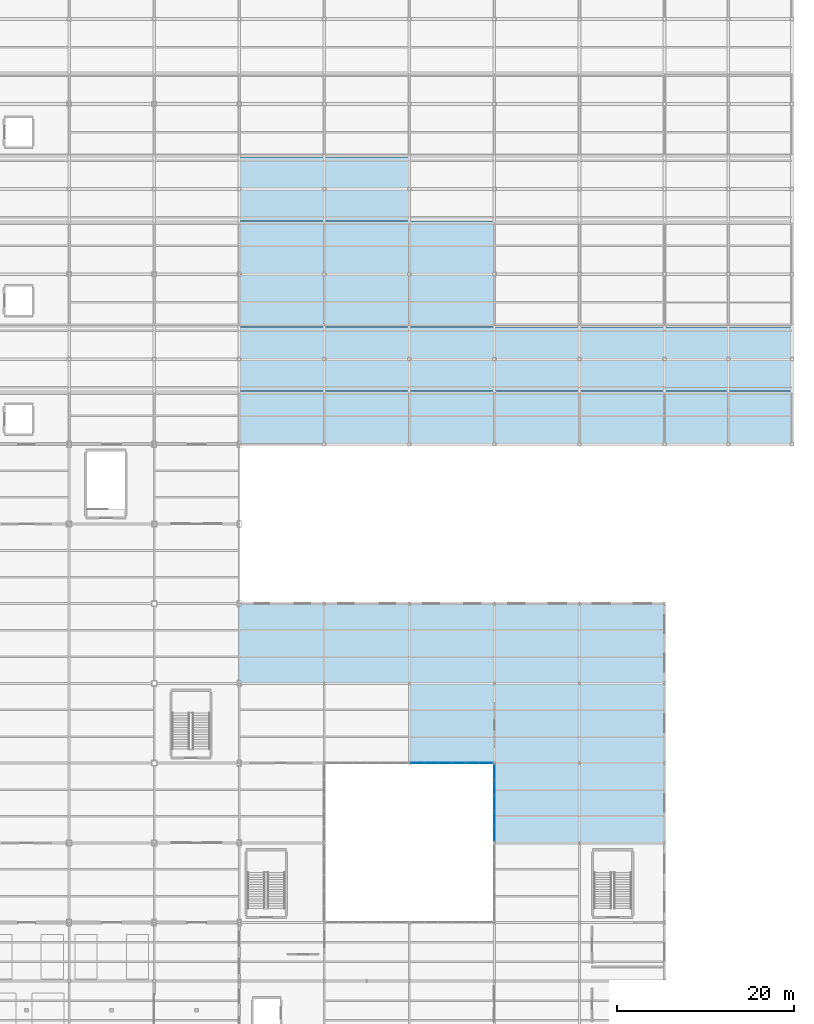
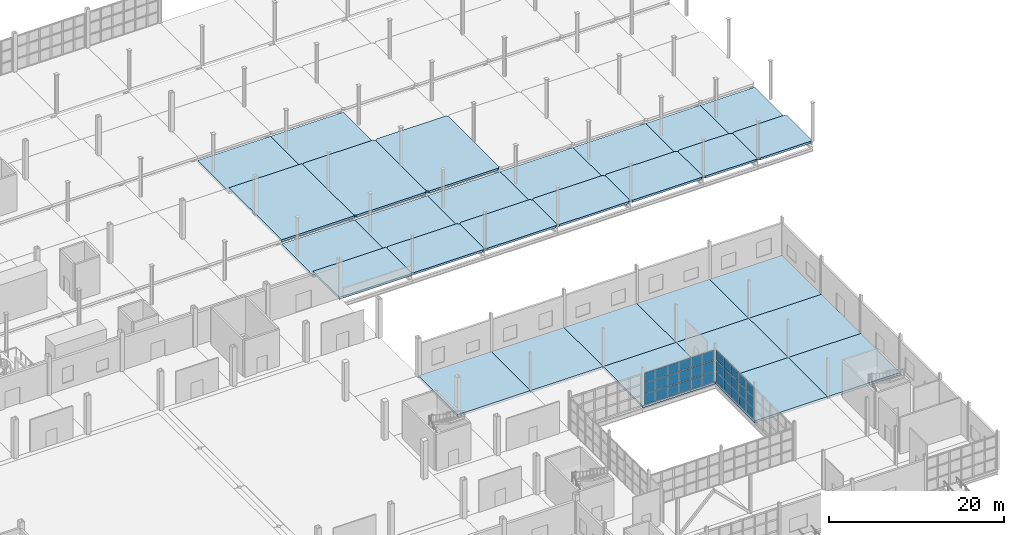
# One storey, part 53 of 85: 33 plates, 29 slabs, 2 elements without a shape of their own.
"""IFC4 building model written with IfcOpenShell, lengths in metres."""

from ifc_helpers import new_model, si_unit, direction, frame, origin, origin_2d, place, context, subcontext, project, spatial, polyline, rectangle, outline, extrude, material, layer, layer_set, type_object, element, aggregate, save


model = new_model("IFC4")

# Units and contexts
model_context = context("Model", 3, precision=1e-05, world=origin(), true_north=direction((0.0, 1.0)))
body_context = subcontext(model_context, "Body", "Model", "MODEL_VIEW")
ifc_project = project(units=[si_unit("LENGTHUNIT", "METRE"), si_unit("AREAUNIT", "SQUARE_METRE"), si_unit("VOLUMEUNIT", "CUBIC_METRE"), si_unit("PLANEANGLEUNIT", "RADIAN"), si_unit("MASSUNIT", "GRAM", prefix="KILO")], contexts=[model_context])

# Site, building, storey
site_placement = place(None, origin())
site = spatial("IfcSite", under=ifc_project, at=site_placement, CompositionType="ELEMENT")
building_placement = place(site_placement, origin())
building = spatial("IfcBuilding", under=site, at=building_placement, Name="Zarnetskaya Central Station", CompositionType="ELEMENT")
storey_placement = place(building_placement, origin())
storey = spatial("IfcBuildingStorey", under=building, at=storey_placement, Name="L00", CompositionType="ELEMENT", Elevation=0.0)

# Curtain wall, plates
ifc_material_1 = material(Name="Low-E insulated glass", Category="glass")
ifc_layer_1 = layer(ifc_material_1, 0.172119140625, Name="Low-E insulated glass", Category="glass")
ifc_layer_set_1 = layer_set([ifc_layer_1], Name="Low-E insulated glass")
curtain_wall_type = type_object("IfcCurtainWallType", Name="CW-SYS-04", PredefinedType="USERDEFINED", material=ifc_layer_set_1)
curtain_wall_1_placement = place(storey_placement, origin())
curtain_wall_1 = element("IfcCurtainWall", 1, at=curtain_wall_1_placement, inside=storey, type_object=curtain_wall_type, Name="Curtain wall CW-L00-105", ObjectType="CURTAIN WALL", PredefinedType="USERDEFINED")
ifc_layer_2 = layer(ifc_material_1, 0.028076171875, Name="Low-E insulated glass", Category="glass")
ifc_layer_set_2 = layer_set([ifc_layer_2], Name="Low-E insulated glass")
plate_type_1 = type_object("IfcPlateType", Name="CW-PAN-28", PredefinedType="CURTAIN_PANEL", material=ifc_layer_set_2)
plate_1_placement = place(storey_placement, frame((153.60009765625, 23.237548828125, 0.06982421875), z_axis=(0.0, 0.0, 1.0), x_axis=(0.0, 1.0, 0.0)))
plate_1 = element("IfcPlate", 2, at=plate_1_placement, type_object=plate_type_1, Name="CW-15 panel 1.1", PredefinedType="CURTAIN_PANEL", context=body_context, shape_type="SweptSolid", body=[
    extrude(rectangle(XDim=1.635009765625, YDim=0.028076171875, at=origin_2d()), origin(), (0.0, 0.0, 1.0), 1.468994140625),
])
plate_2_placement = place(storey_placement, frame((153.60009765625, 23.237548828125, 1.609130859375), z_axis=(0.0, 0.0, 1.0), x_axis=(0.0, 1.0, 0.0)))
plate_2 = element("IfcPlate", 3, at=plate_2_placement, type_object=plate_type_1, Name="CW-15 panel 1.2", PredefinedType="CURTAIN_PANEL", context=body_context, shape_type="SweptSolid", body=[
    extrude(rectangle(XDim=1.635009765625, YDim=0.028076171875, at=origin_2d()), origin(), (0.0, 0.0, 1.0), 1.50390625),
])
plate_3_placement = place(storey_placement, frame((153.60009765625, 23.237548828125, 3.18310546875), z_axis=(0.0, 0.0, 1.0), x_axis=(0.0, 1.0, 0.0)))
plate_3 = element("IfcPlate", 4, at=plate_3_placement, type_object=plate_type_1, Name="CW-15 panel 1.3", PredefinedType="CURTAIN_PANEL", context=body_context, shape_type="SweptSolid", body=[
    extrude(rectangle(XDim=1.635009765625, YDim=0.028076171875, at=origin_2d()), origin(), (0.0, 0.0, 1.0), 1.376953125),
])
plate_4_placement = place(storey_placement, frame((153.60009765625, 24.9599609375, 0.06982421875), z_axis=(0.0, 0.0, 1.0), x_axis=(0.0, 1.0, 0.0)))
plate_4 = element("IfcPlate", 5, at=plate_4_placement, type_object=plate_type_1, Name="CW-15 panel 2.1", PredefinedType="CURTAIN_PANEL", context=body_context, shape_type="SweptSolid", body=[
    extrude(rectangle(XDim=1.669921875, YDim=0.028076171875, at=origin_2d()), origin(), (0.0, 0.0, 1.0), 1.468994140625),
])
plate_5_placement = place(storey_placement, frame((153.60009765625, 24.9599609375, 1.609130859375), z_axis=(0.0, 0.0, 1.0), x_axis=(0.0, 1.0, 0.0)))
plate_5 = element("IfcPlate", 6, at=plate_5_placement, type_object=plate_type_1, Name="CW-15 panel 2.2", PredefinedType="CURTAIN_PANEL", context=body_context, shape_type="SweptSolid", body=[
    extrude(rectangle(XDim=1.669921875, YDim=0.028076171875, at=origin_2d()), origin(), (0.0, 0.0, 1.0), 1.50390625),
])
plate_6_placement = place(storey_placement, frame((153.60009765625, 24.9599609375, 3.18310546875), z_axis=(0.0, 0.0, 1.0), x_axis=(0.0, 1.0, 0.0)))
plate_6 = element("IfcPlate", 7, at=plate_6_placement, type_object=plate_type_1, Name="CW-15 panel 2.3", PredefinedType="CURTAIN_PANEL", context=body_context, shape_type="SweptSolid", body=[
    extrude(rectangle(XDim=1.669921875, YDim=0.028076171875, at=origin_2d()), origin(), (0.0, 0.0, 1.0), 1.376953125),
])
plate_7_placement = place(storey_placement, frame((153.60009765625, 26.699951171875, 0.06982421875), z_axis=(0.0, 0.0, 1.0), x_axis=(0.0, 1.0, 0.0)))
plate_7 = element("IfcPlate", 8, at=plate_7_placement, type_object=plate_type_1, Name="CW-15 panel 3.1", PredefinedType="CURTAIN_PANEL", context=body_context, shape_type="SweptSolid", body=[
    extrude(rectangle(XDim=1.669921875, YDim=0.028076171875, at=origin_2d()), origin(), (0.0, 0.0, 1.0), 1.468994140625),
])
plate_8_placement = place(storey_placement, frame((153.60009765625, 26.699951171875, 1.609130859375), z_axis=(0.0, 0.0, 1.0), x_axis=(0.0, 1.0, 0.0)))
plate_8 = element("IfcPlate", 9, at=plate_8_placement, type_object=plate_type_1, Name="CW-15 panel 3.2", PredefinedType="CURTAIN_PANEL", context=body_context, shape_type="SweptSolid", body=[
    extrude(rectangle(XDim=1.669921875, YDim=0.028076171875, at=origin_2d()), origin(), (0.0, 0.0, 1.0), 1.50390625),
])
plate_9_placement = place(storey_placement, frame((153.60009765625, 26.699951171875, 3.18310546875), z_axis=(0.0, 0.0, 1.0), x_axis=(0.0, 1.0, 0.0)))
plate_9 = element("IfcPlate", 10, at=plate_9_placement, type_object=plate_type_1, Name="CW-15 panel 3.3", PredefinedType="CURTAIN_PANEL", context=body_context, shape_type="SweptSolid", body=[
    extrude(rectangle(XDim=1.669921875, YDim=0.028076171875, at=origin_2d()), origin(), (0.0, 0.0, 1.0), 1.376953125),
])
plate_10_placement = place(storey_placement, frame((153.60009765625, 28.43994140625, 0.06982421875), z_axis=(0.0, 0.0, 1.0), x_axis=(0.0, 1.0, 0.0)))
plate_10 = element("IfcPlate", 11, at=plate_10_placement, type_object=plate_type_1, Name="CW-15 panel 4.1", PredefinedType="CURTAIN_PANEL", context=body_context, shape_type="SweptSolid", body=[
    extrude(rectangle(XDim=1.669921875, YDim=0.028076171875, at=origin_2d()), origin(), (0.0, 0.0, 1.0), 1.468994140625),
])
plate_11_placement = place(storey_placement, frame((153.60009765625, 28.43994140625, 1.609130859375), z_axis=(0.0, 0.0, 1.0), x_axis=(0.0, 1.0, 0.0)))
plate_11 = element("IfcPlate", 12, at=plate_11_placement, type_object=plate_type_1, Name="CW-15 panel 4.2", PredefinedType="CURTAIN_PANEL", context=body_context, shape_type="SweptSolid", body=[
    extrude(rectangle(XDim=1.669921875, YDim=0.028076171875, at=origin_2d()), origin(), (0.0, 0.0, 1.0), 1.50390625),
])
plate_12_placement = place(storey_placement, frame((153.60009765625, 28.43994140625, 3.18310546875), z_axis=(0.0, 0.0, 1.0), x_axis=(0.0, 1.0, 0.0)))
plate_12 = element("IfcPlate", 13, at=plate_12_placement, type_object=plate_type_1, Name="CW-15 panel 4.3", PredefinedType="CURTAIN_PANEL", context=body_context, shape_type="SweptSolid", body=[
    extrude(rectangle(XDim=1.669921875, YDim=0.028076171875, at=origin_2d()), origin(), (0.0, 0.0, 1.0), 1.376953125),
])
plate_13_placement = place(storey_placement, frame((153.60009765625, 30.16259765625, 0.06982421875), z_axis=(0.0, 0.0, 1.0), x_axis=(0.0, 1.0, 0.0)))
plate_13 = element("IfcPlate", 14, at=plate_13_placement, type_object=plate_type_1, Name="CW-15 panel 5.1", PredefinedType="CURTAIN_PANEL", context=body_context, shape_type="SweptSolid", body=[
    extrude(rectangle(XDim=1.635009765625, YDim=0.028076171875, at=origin_2d()), origin(), (0.0, 0.0, 1.0), 1.468994140625),
])
plate_14_placement = place(storey_placement, frame((153.60009765625, 30.16259765625, 1.609130859375), z_axis=(0.0, 0.0, 1.0), x_axis=(0.0, 1.0, 0.0)))
plate_14 = element("IfcPlate", 15, at=plate_14_placement, type_object=plate_type_1, Name="CW-15 panel 5.2", PredefinedType="CURTAIN_PANEL", context=body_context, shape_type="SweptSolid", body=[
    extrude(rectangle(XDim=1.635009765625, YDim=0.028076171875, at=origin_2d()), origin(), (0.0, 0.0, 1.0), 1.50390625),
])
plate_15_placement = place(storey_placement, frame((153.60009765625, 30.16259765625, 3.18310546875), z_axis=(0.0, 0.0, 1.0), x_axis=(0.0, 1.0, 0.0)))
plate_15 = element("IfcPlate", 16, at=plate_15_placement, type_object=plate_type_1, Name="CW-15 panel 5.3", PredefinedType="CURTAIN_PANEL", context=body_context, shape_type="SweptSolid", body=[
    extrude(rectangle(XDim=1.635009765625, YDim=0.028076171875, at=origin_2d()), origin(), (0.0, 0.0, 1.0), 1.376953125),
])
aggregate(curtain_wall_1, [plate_1, plate_2, plate_3, plate_4, plate_5, plate_6, plate_7, plate_8, plate_9, plate_10, plate_11, plate_12, plate_13, plate_14, plate_15])

curtain_wall_2_placement = place(storey_placement, origin())
curtain_wall_2 = element("IfcCurtainWall", 17, at=curtain_wall_2_placement, inside=storey, type_object=curtain_wall_type, Name="Curtain wall CW-L00-106", ObjectType="CURTAIN WALL", PredefinedType="USERDEFINED")
ifc_layer_3 = layer(ifc_material_1, 0.031982421875, Name="Low-E insulated glass", Category="glass")
ifc_layer_set_3 = layer_set([ifc_layer_3], Name="Low-E insulated glass")
plate_type_2 = type_object("IfcPlateType", Name="CW-PAN-32", PredefinedType="CURTAIN_PANEL", material=ifc_layer_set_3)
plate_16_placement = place(storey_placement, frame((152.655029296875, 31.199951171875, 0.080078125), z_axis=(0.0, 0.0, 1.0), x_axis=(-1.0, 0.0, 0.0)))
plate_16 = element("IfcPlate", 18, at=plate_16_placement, type_object=plate_type_2, Name="CW-15 panel 1.1", PredefinedType="CURTAIN_PANEL", context=body_context, shape_type="SweptSolid", body=[
    extrude(rectangle(XDim=1.429931640625, YDim=0.031982421875, at=origin_2d()), origin(), (0.0, 0.0, 1.0), 1.4169921875),
])
plate_17_placement = place(storey_placement, frame((152.655029296875, 31.199951171875, 1.576904296875), z_axis=(0.0, 0.0, 1.0), x_axis=(-1.0, 0.0, 0.0)))
plate_17 = element("IfcPlate", 19, at=plate_17_placement, type_object=plate_type_2, Name="CW-15 panel 1.2", PredefinedType="CURTAIN_PANEL", context=body_context, shape_type="SweptSolid", body=[
    extrude(rectangle(XDim=1.429931640625, YDim=0.031982421875, at=origin_2d()), origin(), (0.0, 0.0, 1.0), 1.45703125),
])
plate_18_placement = place(storey_placement, frame((152.655029296875, 31.199951171875, 3.1142578125), z_axis=(0.0, 0.0, 1.0), x_axis=(-1.0, 0.0, 0.0)))
plate_18 = element("IfcPlate", 20, at=plate_18_placement, type_object=plate_type_2, Name="CW-15 panel 1.3", PredefinedType="CURTAIN_PANEL", context=body_context, shape_type="SweptSolid", body=[
    extrude(rectangle(XDim=1.429931640625, YDim=0.031982421875, at=origin_2d()), origin(), (0.0, 0.0, 1.0), 1.325927734375),
])
plate_19_placement = place(storey_placement, frame((151.125, 31.199951171875, 0.080078125), z_axis=(0.0, 0.0, 1.0), x_axis=(-1.0, 0.0, 0.0)))
plate_19 = element("IfcPlate", 21, at=plate_19_placement, type_object=plate_type_2, Name="CW-15 panel 2.1", PredefinedType="CURTAIN_PANEL", context=body_context, shape_type="SweptSolid", body=[
    extrude(rectangle(XDim=1.469970703125, YDim=0.031982421875, at=origin_2d()), origin(), (0.0, 0.0, 1.0), 1.4169921875),
])
plate_20_placement = place(storey_placement, frame((151.125, 31.199951171875, 1.576904296875), z_axis=(0.0, 0.0, 1.0), x_axis=(-1.0, 0.0, 0.0)))
plate_20 = element("IfcPlate", 22, at=plate_20_placement, type_object=plate_type_2, Name="CW-15 panel 2.2", PredefinedType="CURTAIN_PANEL", context=body_context, shape_type="SweptSolid", body=[
    extrude(rectangle(XDim=1.469970703125, YDim=0.031982421875, at=origin_2d()), origin(), (0.0, 0.0, 1.0), 1.45703125),
])
plate_21_placement = place(storey_placement, frame((151.125, 31.199951171875, 3.1142578125), z_axis=(0.0, 0.0, 1.0), x_axis=(-1.0, 0.0, 0.0)))
plate_21 = element("IfcPlate", 23, at=plate_21_placement, type_object=plate_type_2, Name="CW-15 panel 2.3", PredefinedType="CURTAIN_PANEL", context=body_context, shape_type="SweptSolid", body=[
    extrude(rectangle(XDim=1.469970703125, YDim=0.031982421875, at=origin_2d()), origin(), (0.0, 0.0, 1.0), 1.325927734375),
])
plate_22_placement = place(storey_placement, frame((149.574951171875, 31.199951171875, 0.080078125), z_axis=(0.0, 0.0, 1.0), x_axis=(-1.0, 0.0, 0.0)))
plate_22 = element("IfcPlate", 24, at=plate_22_placement, type_object=plate_type_2, Name="CW-15 panel 3.1", PredefinedType="CURTAIN_PANEL", context=body_context, shape_type="SweptSolid", body=[
    extrude(rectangle(XDim=1.469970703125, YDim=0.031982421875, at=origin_2d()), origin(), (0.0, 0.0, 1.0), 1.4169921875),
])
plate_23_placement = place(storey_placement, frame((149.574951171875, 31.199951171875, 1.576904296875), z_axis=(0.0, 0.0, 1.0), x_axis=(-1.0, 0.0, 0.0)))
plate_23 = element("IfcPlate", 25, at=plate_23_placement, type_object=plate_type_2, Name="CW-15 panel 3.2", PredefinedType="CURTAIN_PANEL", context=body_context, shape_type="SweptSolid", body=[
    extrude(rectangle(XDim=1.469970703125, YDim=0.031982421875, at=origin_2d()), origin(), (0.0, 0.0, 1.0), 1.45703125),
])
plate_24_placement = place(storey_placement, frame((149.574951171875, 31.199951171875, 3.1142578125), z_axis=(0.0, 0.0, 1.0), x_axis=(-1.0, 0.0, 0.0)))
plate_24 = element("IfcPlate", 26, at=plate_24_placement, type_object=plate_type_2, Name="CW-15 panel 3.3", PredefinedType="CURTAIN_PANEL", context=body_context, shape_type="SweptSolid", body=[
    extrude(rectangle(XDim=1.469970703125, YDim=0.031982421875, at=origin_2d()), origin(), (0.0, 0.0, 1.0), 1.325927734375),
])
plate_25_placement = place(storey_placement, frame((148.02490234375, 31.199951171875, 0.080078125), z_axis=(0.0, 0.0, 1.0), x_axis=(-1.0, 0.0, 0.0)))
plate_25 = element("IfcPlate", 27, at=plate_25_placement, type_object=plate_type_2, Name="CW-15 panel 4.1", PredefinedType="CURTAIN_PANEL", context=body_context, shape_type="SweptSolid", body=[
    extrude(rectangle(XDim=1.469970703125, YDim=0.031982421875, at=origin_2d()), origin(), (0.0, 0.0, 1.0), 1.4169921875),
])
plate_26_placement = place(storey_placement, frame((148.02490234375, 31.199951171875, 1.576904296875), z_axis=(0.0, 0.0, 1.0), x_axis=(-1.0, 0.0, 0.0)))
plate_26 = element("IfcPlate", 28, at=plate_26_placement, type_object=plate_type_2, Name="CW-15 panel 4.2", PredefinedType="CURTAIN_PANEL", context=body_context, shape_type="SweptSolid", body=[
    extrude(rectangle(XDim=1.469970703125, YDim=0.031982421875, at=origin_2d()), origin(), (0.0, 0.0, 1.0), 1.45703125),
])
plate_27_placement = place(storey_placement, frame((148.02490234375, 31.199951171875, 3.1142578125), z_axis=(0.0, 0.0, 1.0), x_axis=(-1.0, 0.0, 0.0)))
plate_27 = element("IfcPlate", 29, at=plate_27_placement, type_object=plate_type_2, Name="CW-15 panel 4.3", PredefinedType="CURTAIN_PANEL", context=body_context, shape_type="SweptSolid", body=[
    extrude(rectangle(XDim=1.469970703125, YDim=0.031982421875, at=origin_2d()), origin(), (0.0, 0.0, 1.0), 1.325927734375),
])
plate_28_placement = place(storey_placement, frame((146.47509765625, 31.199951171875, 0.080078125), z_axis=(0.0, 0.0, 1.0), x_axis=(-1.0, 0.0, 0.0)))
plate_28 = element("IfcPlate", 30, at=plate_28_placement, type_object=plate_type_2, Name="CW-15 panel 5.1", PredefinedType="CURTAIN_PANEL", context=body_context, shape_type="SweptSolid", body=[
    extrude(rectangle(XDim=1.469970703125, YDim=0.031982421875, at=origin_2d()), origin(), (0.0, 0.0, 1.0), 1.4169921875),
])
plate_29_placement = place(storey_placement, frame((146.47509765625, 31.199951171875, 1.576904296875), z_axis=(0.0, 0.0, 1.0), x_axis=(-1.0, 0.0, 0.0)))
plate_29 = element("IfcPlate", 31, at=plate_29_placement, type_object=plate_type_2, Name="CW-15 panel 5.2", PredefinedType="CURTAIN_PANEL", context=body_context, shape_type="SweptSolid", body=[
    extrude(rectangle(XDim=1.469970703125, YDim=0.031982421875, at=origin_2d()), origin(), (0.0, 0.0, 1.0), 1.45703125),
])
plate_30_placement = place(storey_placement, frame((146.47509765625, 31.199951171875, 3.1142578125), z_axis=(0.0, 0.0, 1.0), x_axis=(-1.0, 0.0, 0.0)))
plate_30 = element("IfcPlate", 32, at=plate_30_placement, type_object=plate_type_2, Name="CW-15 panel 5.3", PredefinedType="CURTAIN_PANEL", context=body_context, shape_type="SweptSolid", body=[
    extrude(rectangle(XDim=1.469970703125, YDim=0.031982421875, at=origin_2d()), origin(), (0.0, 0.0, 1.0), 1.325927734375),
])
plate_31_placement = place(storey_placement, frame((144.945068359375, 31.199951171875, 0.080078125), z_axis=(0.0, 0.0, 1.0), x_axis=(-1.0, 0.0, 0.0)))
plate_31 = element("IfcPlate", 33, at=plate_31_placement, type_object=plate_type_2, Name="CW-15 panel 6.1", PredefinedType="CURTAIN_PANEL", context=body_context, shape_type="SweptSolid", body=[
    extrude(rectangle(XDim=1.429931640625, YDim=0.031982421875, at=origin_2d()), origin(), (0.0, 0.0, 1.0), 1.4169921875),
])
plate_32_placement = place(storey_placement, frame((144.945068359375, 31.199951171875, 1.576904296875), z_axis=(0.0, 0.0, 1.0), x_axis=(-1.0, 0.0, 0.0)))
plate_32 = element("IfcPlate", 34, at=plate_32_placement, type_object=plate_type_2, Name="CW-15 panel 6.2", PredefinedType="CURTAIN_PANEL", context=body_context, shape_type="SweptSolid", body=[
    extrude(rectangle(XDim=1.429931640625, YDim=0.031982421875, at=origin_2d()), origin(), (0.0, 0.0, 1.0), 1.45703125),
])
plate_33_placement = place(storey_placement, frame((144.945068359375, 31.199951171875, 3.1142578125), z_axis=(0.0, 0.0, 1.0), x_axis=(-1.0, 0.0, 0.0)))
plate_33 = element("IfcPlate", 35, at=plate_33_placement, type_object=plate_type_2, Name="CW-15 panel 6.3", PredefinedType="CURTAIN_PANEL", context=body_context, shape_type="SweptSolid", body=[
    extrude(rectangle(XDim=1.429931640625, YDim=0.031982421875, at=origin_2d()), origin(), (0.0, 0.0, 1.0), 1.325927734375),
])
aggregate(curtain_wall_2, [plate_16, plate_17, plate_18, plate_19, plate_20, plate_21, plate_22, plate_23, plate_24, plate_25, plate_26, plate_27, plate_28, plate_29, plate_30, plate_31, plate_32, plate_33])

# Slabs
ifc_material_2 = material(Name="Concrete C30/37", Category="concrete")
ifc_layer_4 = layer(ifc_material_2, 0.320068359375, Name="Concrete C30/37", Category="concrete")
ifc_layer_set_4 = layer_set([ifc_layer_4], Name="Concrete C30/37")
slab_type_1 = type_object("IfcSlabType", Name="SLAB-L00-320", PredefinedType="FLOOR", material=ifc_layer_set_4)
slab_1_placement = place(storey_placement, frame((0.0, 0.0, -0.320068359375)))
element("IfcSlab", 36, at=slab_1_placement, inside=storey, type_object=slab_type_1, Name="L00 slab P-Q/6-7", PredefinedType="FLOOR", context=body_context, shape_type="SweptSolid", body=[
    extrude(outline(polyline([(124.800048828125, 40.199951171875), (134.39990234375, 40.199951171875), (134.39990234375, 49.199951171875), (124.800048828125, 49.199951171875), (124.800048828125, 40.199951171875)])), origin(), (0.0, 0.0, 1.0), 0.320068359375),
])
slab_2_placement = place(storey_placement, frame((0.0, 0.0, -0.320068359375)))
element("IfcSlab", 37, at=slab_2_placement, inside=storey, type_object=slab_type_1, Name="L00 slab Q-R/6-7", PredefinedType="FLOOR", context=body_context, shape_type="SweptSolid", body=[
    extrude(outline(polyline([(134.39990234375, 40.199951171875), (144.0, 40.199951171875), (144.0, 49.199951171875), (134.39990234375, 49.199951171875), (134.39990234375, 40.199951171875)])), origin(), (0.0, 0.0, 1.0), 0.320068359375),
])
slab_3_placement = place(storey_placement, frame((0.0, 0.0, -0.320068359375)))
element("IfcSlab", 38, at=slab_3_placement, inside=storey, type_object=slab_type_1, Name="L00 slab R-S/5-6", PredefinedType="FLOOR", context=body_context, shape_type="SweptSolid", body=[
    extrude(outline(polyline([(144.0, 31.199951171875), (153.60009765625, 31.199951171875), (153.60009765625, 40.199951171875), (144.0, 40.199951171875), (144.0, 31.199951171875)])), origin(), (0.0, 0.0, 1.0), 0.320068359375),
])
slab_4_placement = place(storey_placement, frame((0.0, 0.0, -0.320068359375)))
element("IfcSlab", 39, at=slab_4_placement, inside=storey, type_object=slab_type_1, Name="L00 slab R-S/6-7", PredefinedType="FLOOR", context=body_context, shape_type="SweptSolid", body=[
    extrude(outline(polyline([(144.0, 40.199951171875), (153.60009765625, 40.199951171875), (153.60009765625, 49.199951171875), (144.0, 49.199951171875), (144.0, 40.199951171875)])), origin(), (0.0, 0.0, 1.0), 0.320068359375),
])
slab_5_placement = place(storey_placement, frame((0.0, 0.0, -0.320068359375)))
element("IfcSlab", 40, at=slab_5_placement, inside=storey, type_object=slab_type_1, Name="L00 slab S-T/4-5", PredefinedType="FLOOR", context=body_context, shape_type="SweptSolid", body=[
    extrude(outline(polyline([(153.60009765625, 22.199951171875), (163.199951171875, 22.199951171875), (163.199951171875, 31.199951171875), (153.60009765625, 31.199951171875), (153.60009765625, 22.199951171875)])), origin(), (0.0, 0.0, 1.0), 0.320068359375),
])
slab_6_placement = place(storey_placement, frame((0.0, 0.0, -0.320068359375)))
element("IfcSlab", 41, at=slab_6_placement, inside=storey, type_object=slab_type_1, Name="L00 slab S-T/5-6", PredefinedType="FLOOR", context=body_context, shape_type="SweptSolid", body=[
    extrude(outline(polyline([(153.60009765625, 31.199951171875), (163.199951171875, 31.199951171875), (163.199951171875, 40.199951171875), (153.60009765625, 40.199951171875), (153.60009765625, 31.199951171875)])), origin(), (0.0, 0.0, 1.0), 0.320068359375),
])
slab_7_placement = place(storey_placement, frame((0.0, 0.0, -0.320068359375)))
element("IfcSlab", 42, at=slab_7_placement, inside=storey, type_object=slab_type_1, Name="L00 slab S-T/6-7", PredefinedType="FLOOR", context=body_context, shape_type="SweptSolid", body=[
    extrude(outline(polyline([(153.60009765625, 40.199951171875), (163.199951171875, 40.199951171875), (163.199951171875, 49.199951171875), (153.60009765625, 49.199951171875), (153.60009765625, 40.199951171875)])), origin(), (0.0, 0.0, 1.0), 0.320068359375),
])
slab_8_placement = place(storey_placement, frame((0.0, 0.0, -0.320068359375)))
element("IfcSlab", 43, at=slab_8_placement, inside=storey, type_object=slab_type_1, Name="L00 slab T-U/4-5", PredefinedType="FLOOR", context=body_context, shape_type="SweptSolid", body=[
    extrude(outline(polyline([(163.199951171875, 22.199951171875), (172.800048828125, 22.199951171875), (172.800048828125, 31.199951171875), (163.199951171875, 31.199951171875), (163.199951171875, 22.199951171875)])), origin(), (0.0, 0.0, 1.0), 0.320068359375),
])
slab_9_placement = place(storey_placement, frame((0.0, 0.0, -0.320068359375)))
element("IfcSlab", 44, at=slab_9_placement, inside=storey, type_object=slab_type_1, Name="L00 slab T-U/5-6", PredefinedType="FLOOR", context=body_context, shape_type="SweptSolid", body=[
    extrude(outline(polyline([(163.199951171875, 31.199951171875), (172.800048828125, 31.199951171875), (172.800048828125, 40.199951171875), (163.199951171875, 40.199951171875), (163.199951171875, 31.199951171875)])), origin(), (0.0, 0.0, 1.0), 0.320068359375),
])
slab_10_placement = place(storey_placement, frame((0.0, 0.0, -0.320068359375)))
element("IfcSlab", 45, at=slab_10_placement, inside=storey, type_object=slab_type_1, Name="L00 slab T-U/6-7", PredefinedType="FLOOR", context=body_context, shape_type="SweptSolid", body=[
    extrude(outline(polyline([(163.199951171875, 40.199951171875), (172.800048828125, 40.199951171875), (172.800048828125, 49.199951171875), (163.199951171875, 49.199951171875), (163.199951171875, 40.199951171875)])), origin(), (0.0, 0.0, 1.0), 0.320068359375),
])
ifc_material_3 = material(Name="Precast concrete C40/50", Category="concrete")
ifc_layer_5 = layer(ifc_material_3, 0.2900390625, Name="Precast concrete C40/50", Category="concrete")
ifc_layer_set_5 = layer_set([ifc_layer_5], Name="Precast concrete C40/50")
slab_type_2 = type_object("IfcSlabType", Name="SLAB-PEXT-290", PredefinedType="FLOOR", material=ifc_layer_set_5)
slab_11_placement = place(storey_placement, frame((0.0, 0.0, -0.2900390625)))
element("IfcSlab", 46, at=slab_11_placement, inside=storey, type_object=slab_type_2, Name="Platform 1 Passenger Boarding Hall deck Q-R", PredefinedType="FLOOR", context=body_context, shape_type="SweptSolid", body=[
    extrude(outline(polyline([(134.639892578125, 67.199951171875), (143.760009765625, 67.199951171875), (144.0, 67.43994140625), (144.0, 72.9599609375), (143.760009765625, 73.199951171875), (134.639892578125, 73.199951171875), (134.39990234375, 72.9599609375), (134.39990234375, 67.43994140625), (134.639892578125, 67.199951171875)])), origin(), (0.0, 0.0, 1.0), 0.2900390625),
])
slab_12_placement = place(storey_placement, frame((0.0, 0.0, -0.2900390625)))
element("IfcSlab", 47, at=slab_12_placement, inside=storey, type_object=slab_type_2, Name="Platform 2 Passenger Boarding Hall deck Q-R", PredefinedType="FLOOR", context=body_context, shape_type="SweptSolid", body=[
    extrude(outline(polyline([(134.639892578125, 80.39990234375), (143.760009765625, 80.39990234375), (144.0, 80.639892578125), (144.0, 92.159912109375), (143.760009765625, 92.39990234375), (134.639892578125, 92.39990234375), (134.39990234375, 92.159912109375), (134.39990234375, 80.639892578125), (134.639892578125, 80.39990234375)])), origin(), (0.0, 0.0, 1.0), 0.2900390625),
])
slab_13_placement = place(storey_placement, frame((0.0, 0.0, -0.2900390625)))
element("IfcSlab", 48, at=slab_13_placement, inside=storey, type_object=slab_type_2, Name="Platform 1 Passenger Boarding Hall deck R-S", PredefinedType="FLOOR", context=body_context, shape_type="SweptSolid", body=[
    extrude(outline(polyline([(144.239990234375, 67.199951171875), (153.360107421875, 67.199951171875), (153.60009765625, 67.43994140625), (153.60009765625, 72.9599609375), (153.360107421875, 73.199951171875), (144.239990234375, 73.199951171875), (144.0, 72.9599609375), (144.0, 67.43994140625), (144.239990234375, 67.199951171875)])), origin(), (0.0, 0.0, 1.0), 0.2900390625),
])
slab_14_placement = place(storey_placement, frame((0.0, 0.0, -0.2900390625)))
element("IfcSlab", 49, at=slab_14_placement, inside=storey, type_object=slab_type_2, Name="Platform 2 Passenger Boarding Hall deck R-S", PredefinedType="FLOOR", context=body_context, shape_type="SweptSolid", body=[
    extrude(outline(polyline([(144.239990234375, 80.39990234375), (153.360107421875, 80.39990234375), (153.60009765625, 80.639892578125), (153.60009765625, 92.159912109375), (153.360107421875, 92.39990234375), (144.239990234375, 92.39990234375), (144.0, 92.159912109375), (144.0, 80.639892578125), (144.239990234375, 80.39990234375)])), origin(), (0.0, 0.0, 1.0), 0.2900390625),
])
slab_15_placement = place(storey_placement, frame((0.0, 0.0, -0.2900390625)))
element("IfcSlab", 50, at=slab_15_placement, inside=storey, type_object=slab_type_2, Name="Platform 1 Passenger Boarding Hall deck S-T", PredefinedType="FLOOR", context=body_context, shape_type="SweptSolid", body=[
    extrude(outline(polyline([(153.840087890625, 67.199951171875), (162.9599609375, 67.199951171875), (163.199951171875, 67.43994140625), (163.199951171875, 72.9599609375), (162.9599609375, 73.199951171875), (153.840087890625, 73.199951171875), (153.60009765625, 72.9599609375), (153.60009765625, 67.43994140625), (153.840087890625, 67.199951171875)])), origin(), (0.0, 0.0, 1.0), 0.2900390625),
])
slab_16_placement = place(storey_placement, frame((0.0, 0.0, -0.2900390625)))
element("IfcSlab", 51, at=slab_16_placement, inside=storey, type_object=slab_type_2, Name="Platform 1 Passenger Boarding Hall deck T-U", PredefinedType="FLOOR", context=body_context, shape_type="SweptSolid", body=[
    extrude(outline(polyline([(163.43994140625, 67.199951171875), (172.56005859375, 67.199951171875), (172.800048828125, 67.43994140625), (172.800048828125, 72.9599609375), (172.56005859375, 73.199951171875), (163.43994140625, 73.199951171875), (163.199951171875, 72.9599609375), (163.199951171875, 67.43994140625), (163.43994140625, 67.199951171875)])), origin(), (0.0, 0.0, 1.0), 0.2900390625),
])
slab_17_placement = place(storey_placement, frame((0.0, 0.0, -0.2900390625)))
element("IfcSlab", 52, at=slab_17_placement, inside=storey, type_object=slab_type_2, Name="Platform 1 Passenger Boarding Hall deck U-V", PredefinedType="FLOOR", context=body_context, shape_type="SweptSolid", body=[
    extrude(outline(polyline([(173.0400390625, 67.199951171875), (179.760009765625, 67.199951171875), (180.0, 67.43994140625), (180.0, 72.9599609375), (179.760009765625, 73.199951171875), (173.0400390625, 73.199951171875), (172.800048828125, 72.9599609375), (172.800048828125, 67.43994140625), (173.0400390625, 67.199951171875)])), origin(), (0.0, 0.0, 1.0), 0.2900390625),
])
slab_18_placement = place(storey_placement, frame((0.0, 0.0, -0.2900390625)))
element("IfcSlab", 53, at=slab_18_placement, inside=storey, type_object=slab_type_2, Name="Platform 1 Passenger Boarding Hall deck V-W", PredefinedType="FLOOR", context=body_context, shape_type="SweptSolid", body=[
    extrude(outline(polyline([(180.239990234375, 67.199951171875), (186.9599609375, 67.199951171875), (187.199951171875, 67.43994140625), (187.199951171875, 72.9599609375), (186.9599609375, 73.199951171875), (180.239990234375, 73.199951171875), (180.0, 72.9599609375), (180.0, 67.43994140625), (180.239990234375, 67.199951171875)])), origin(), (0.0, 0.0, 1.0), 0.2900390625),
])
ifc_layer_6 = layer(ifc_material_3, 0.300048828125, Name="Precast concrete C40/50", Category="concrete")
ifc_layer_set_6 = layer_set([ifc_layer_6], Name="Precast concrete C40/50")
slab_type_3 = type_object("IfcSlabType", Name="SLAB-PLAT-300", PredefinedType="FLOOR", material=ifc_layer_set_6)
slab_19_placement = place(storey_placement, frame((0.0, 0.0, -0.300048828125)))
element("IfcSlab", 54, at=slab_19_placement, inside=storey, type_object=slab_type_3, Name="Platform 1 Passenger Boarding Hall deck P-Q", PredefinedType="FLOOR", context=body_context, shape_type="SweptSolid", body=[
    extrude(outline(polyline([(124.800048828125, 67.199951171875), (134.39990234375, 67.199951171875), (134.39990234375, 73.199951171875), (124.800048828125, 73.199951171875), (124.800048828125, 67.199951171875)])), origin(), (0.0, 0.0, 1.0), 0.300048828125),
])
slab_20_placement = place(storey_placement, frame((0.0, 0.0, -0.300048828125)))
element("IfcSlab", 55, at=slab_20_placement, inside=storey, type_object=slab_type_3, Name="Platform 2 Passenger Boarding Hall deck P-Q", PredefinedType="FLOOR", context=body_context, shape_type="SweptSolid", body=[
    extrude(outline(polyline([(124.800048828125, 80.39990234375), (134.39990234375, 80.39990234375), (134.39990234375, 92.39990234375), (124.800048828125, 92.39990234375), (124.800048828125, 80.39990234375)])), origin(), (0.0, 0.0, 1.0), 0.300048828125),
])
ifc_layer_7 = layer(ifc_material_2, 0.360107421875, Name="Concrete C30/37", Category="concrete")
ifc_layer_set_7 = layer_set([ifc_layer_7], Name="Concrete C30/37")
slab_type_4 = type_object("IfcSlabType", Name="SLAB-TRK-360", PredefinedType="BASESLAB", material=ifc_layer_set_7)
slab_21_placement = place(storey_placement, frame((0.0, 0.0, -0.909912109375)))
element("IfcSlab", 56, at=slab_21_placement, inside=storey, type_object=slab_type_4, Name="Rail Track Trough 1-2 slab P-Q", PredefinedType="BASESLAB", context=body_context, shape_type="SweptSolid", body=[
    extrude(outline(polyline([(124.800048828125, 73.199951171875), (134.39990234375, 73.199951171875), (134.39990234375, 80.39990234375), (124.800048828125, 80.39990234375), (124.800048828125, 73.199951171875)])), origin(), (0.0, 0.0, 1.0), 0.35986328125),
])
slab_22_placement = place(storey_placement, frame((0.0, 0.0, -0.909912109375)))
element("IfcSlab", 57, at=slab_22_placement, inside=storey, type_object=slab_type_4, Name="Rail Track Trough 3-4 slab P-Q", PredefinedType="BASESLAB", context=body_context, shape_type="SweptSolid", body=[
    extrude(outline(polyline([(124.800048828125, 92.39990234375), (134.39990234375, 92.39990234375), (134.39990234375, 99.60009765625), (124.800048828125, 99.60009765625), (124.800048828125, 92.39990234375)])), origin(), (0.0, 0.0, 1.0), 0.35986328125),
])
slab_23_placement = place(storey_placement, frame((0.0, 0.0, -0.909912109375)))
element("IfcSlab", 58, at=slab_23_placement, inside=storey, type_object=slab_type_4, Name="Rail Track Trough 1-2 slab Q-R", PredefinedType="BASESLAB", context=body_context, shape_type="SweptSolid", body=[
    extrude(outline(polyline([(134.39990234375, 73.199951171875), (144.0, 73.199951171875), (144.0, 80.39990234375), (134.39990234375, 80.39990234375), (134.39990234375, 73.199951171875)])), origin(), (0.0, 0.0, 1.0), 0.35986328125),
])
slab_24_placement = place(storey_placement, frame((0.0, 0.0, -0.909912109375)))
element("IfcSlab", 59, at=slab_24_placement, inside=storey, type_object=slab_type_4, Name="Rail Track Trough 3-4 slab Q-R", PredefinedType="BASESLAB", context=body_context, shape_type="SweptSolid", body=[
    extrude(outline(polyline([(134.39990234375, 92.39990234375), (144.0, 92.39990234375), (144.0, 99.60009765625), (134.39990234375, 99.60009765625), (134.39990234375, 92.39990234375)])), origin(), (0.0, 0.0, 1.0), 0.35986328125),
])
slab_25_placement = place(storey_placement, frame((0.0, 0.0, -0.909912109375)))
element("IfcSlab", 60, at=slab_25_placement, inside=storey, type_object=slab_type_4, Name="Rail Track Trough 1-2 slab R-S", PredefinedType="BASESLAB", context=body_context, shape_type="SweptSolid", body=[
    extrude(outline(polyline([(144.0, 73.199951171875), (153.60009765625, 73.199951171875), (153.60009765625, 80.39990234375), (144.0, 80.39990234375), (144.0, 73.199951171875)])), origin(), (0.0, 0.0, 1.0), 0.35986328125),
])
slab_26_placement = place(storey_placement, frame((0.0, 0.0, -0.909912109375)))
element("IfcSlab", 61, at=slab_26_placement, inside=storey, type_object=slab_type_4, Name="Rail Track Trough 1-2 slab S-T", PredefinedType="BASESLAB", context=body_context, shape_type="SweptSolid", body=[
    extrude(outline(polyline([(153.60009765625, 73.199951171875), (163.199951171875, 73.199951171875), (163.199951171875, 80.39990234375), (153.60009765625, 80.39990234375), (153.60009765625, 73.199951171875)])), origin(), (0.0, 0.0, 1.0), 0.35986328125),
])
slab_27_placement = place(storey_placement, frame((0.0, 0.0, -0.909912109375)))
element("IfcSlab", 62, at=slab_27_placement, inside=storey, type_object=slab_type_4, Name="Rail Track Trough 1-2 slab T-U", PredefinedType="BASESLAB", context=body_context, shape_type="SweptSolid", body=[
    extrude(outline(polyline([(163.199951171875, 73.199951171875), (172.800048828125, 73.199951171875), (172.800048828125, 80.39990234375), (163.199951171875, 80.39990234375), (163.199951171875, 73.199951171875)])), origin(), (0.0, 0.0, 1.0), 0.35986328125),
])
slab_28_placement = place(storey_placement, frame((0.0, 0.0, -0.909912109375)))
element("IfcSlab", 63, at=slab_28_placement, inside=storey, type_object=slab_type_4, Name="Rail Track Trough 1-2 slab U-V", PredefinedType="BASESLAB", context=body_context, shape_type="SweptSolid", body=[
    extrude(outline(polyline([(172.800048828125, 73.199951171875), (180.0, 73.199951171875), (180.0, 80.39990234375), (172.800048828125, 80.39990234375), (172.800048828125, 73.199951171875)])), origin(), (0.0, 0.0, 1.0), 0.35986328125),
])
slab_29_placement = place(storey_placement, frame((0.0, 0.0, -0.909912109375)))
element("IfcSlab", 64, at=slab_29_placement, inside=storey, type_object=slab_type_4, Name="Rail Track Trough 1-2 slab V-W", PredefinedType="BASESLAB", context=body_context, shape_type="SweptSolid", body=[
    extrude(outline(polyline([(180.0, 73.199951171875), (187.199951171875, 73.199951171875), (187.199951171875, 80.39990234375), (180.0, 80.39990234375), (180.0, 73.199951171875)])), origin(), (0.0, 0.0, 1.0), 0.35986328125),
])

save(model, "model.ifc")
